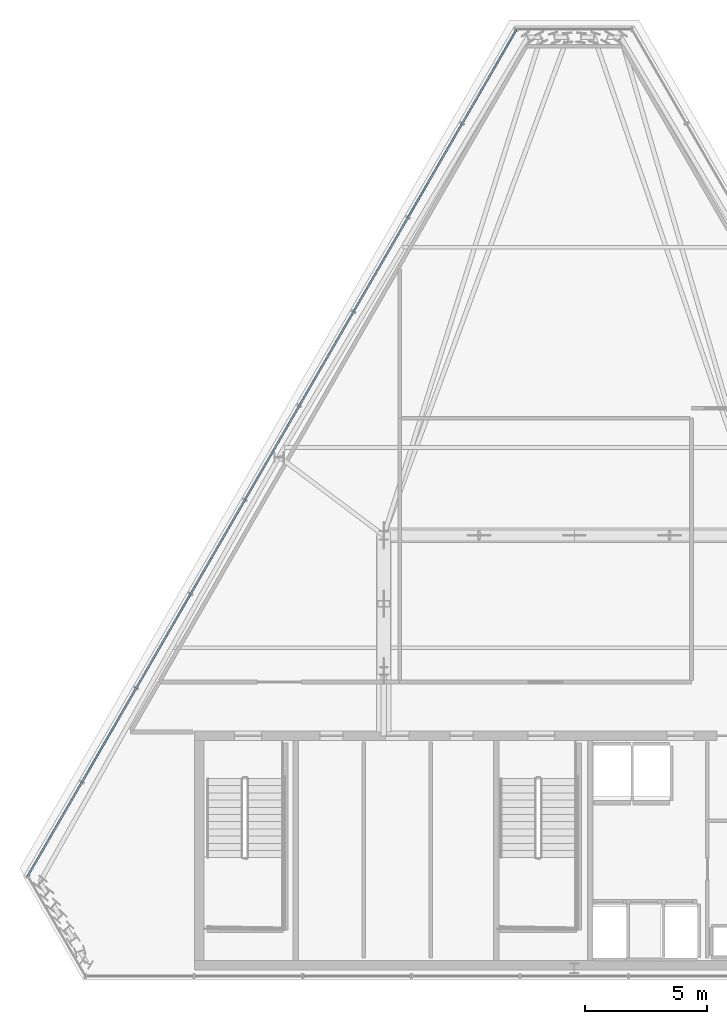
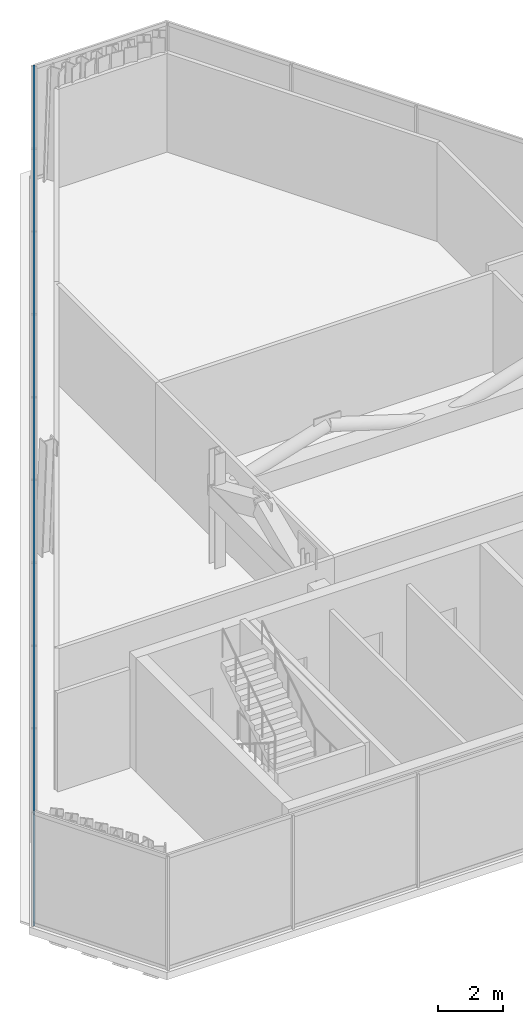
# One storey, part 13 of 32: 2 members, 1 element without a shape of its own.
"""IFC4 building model written with IfcOpenShell, lengths in metres."""

from ifc_helpers import new_model, si_unit, direction, frame, origin, origin_2d, place, context, subcontext, project, spatial, hollow_rectangle, extrude, material, layer, layer_set, material_profile, profile_set, type_object, element, aggregate, save


model = new_model("IFC4")

# Units and contexts
model_context = context("Model", 3, precision=1e-05, world=origin(), true_north=direction((0.0, 1.0)))
body_context = subcontext(model_context, "Body", "Model", "MODEL_VIEW")
ifc_project = project(units=[si_unit("LENGTHUNIT", "METRE"), si_unit("AREAUNIT", "SQUARE_METRE"), si_unit("VOLUMEUNIT", "CUBIC_METRE"), si_unit("PLANEANGLEUNIT", "RADIAN"), si_unit("MASSUNIT", "GRAM", prefix="KILO")], contexts=[model_context])

# Site, building, storey
site_placement = place(None, origin())
site = spatial("IfcSite", under=ifc_project, at=site_placement, CompositionType="ELEMENT")
building_placement = place(site_placement, origin())
building = spatial("IfcBuilding", under=site, at=building_placement, Name="Ndaravel Arena Tower", CompositionType="ELEMENT")
storey_placement = place(building_placement, frame((0.0, 0.0, 278.800048828125)))
storey = spatial("IfcBuildingStorey", under=building, at=storey_placement, Name="L68", CompositionType="ELEMENT", Elevation=278.800048828125)

# Curtain wall, members
ifc_material_1 = material(Name="Aluminium", Category="aluminium")
ifc_layer = layer(ifc_material_1, 0.179931640625)
ifc_layer_set = layer_set([ifc_layer], Name="Aluminium")
curtain_wall_type = type_object("IfcCurtainWallType", Name="CW-SYS-03", PredefinedType="NOTDEFINED", material=ifc_layer_set)
curtain_wall_placement = place(storey_placement, origin())
curtain_wall = element("IfcCurtainWall", 1, at=curtain_wall_placement, inside=storey, type_object=curtain_wall_type, Name="L68 Faceted Crystal Curtain Wall CW-L68-E05", PredefinedType="NOTDEFINED")
ifc_material_2 = material(Name="Aluminium", Category="aluminium")
ifc_material_profile = material_profile(ifc_material_2, hollow_rectangle(XDim=0.074951171875, YDim=0.14990234375, WallThickness=0.00390625, at=origin_2d()), Name="CW TRANSOM 75x150x4")
ifc_profile_set = profile_set([ifc_material_profile], Name="Aluminium")
member_type = type_object("IfcMemberType", Name="MEM-CW-TRN150", PredefinedType="USERDEFINED", material=ifc_profile_set)
member_1_placement = place(storey_placement, frame((39.6376953125, 43.912353515625, 0.0400390625), z_axis=(-0.500002663964, -0.866023865739, 0.0), x_axis=(0.866023865739, -0.500002663964, 0.0)))
member_1 = element("IfcMember", 2, at=member_1_placement, type_object=member_type, Name="CW-L68-E05 Transom 01", ObjectType="TRANSOM", PredefinedType="USERDEFINED", context=body_context, shape_type="SweptSolid", body=[
    extrude(hollow_rectangle(XDim=0.074951171875, YDim=0.14990234375, WallThickness=0.00390625, at=origin_2d()), origin(), (0.0, 0.0, 1.0), 40.022705078125),
])
member_2_placement = place(storey_placement, frame((39.6376953125, 43.912353515625, 4.239990234375), z_axis=(-0.500002663964, -0.866023865739, 0.0), x_axis=(0.866023865739, -0.500002663964, 0.0)))
member_2 = element("IfcMember", 3, at=member_2_placement, type_object=member_type, Name="CW-L68-E05 Transom 02", ObjectType="TRANSOM", PredefinedType="USERDEFINED", context=body_context, shape_type="SweptSolid", body=[
    extrude(hollow_rectangle(XDim=0.074951171875, YDim=0.14990234375, WallThickness=0.00390625, at=origin_2d()), origin(), (0.0, 0.0, 1.0), 40.022705078125),
])
aggregate(curtain_wall, [member_1, member_2])

save(model, "model.ifc")
